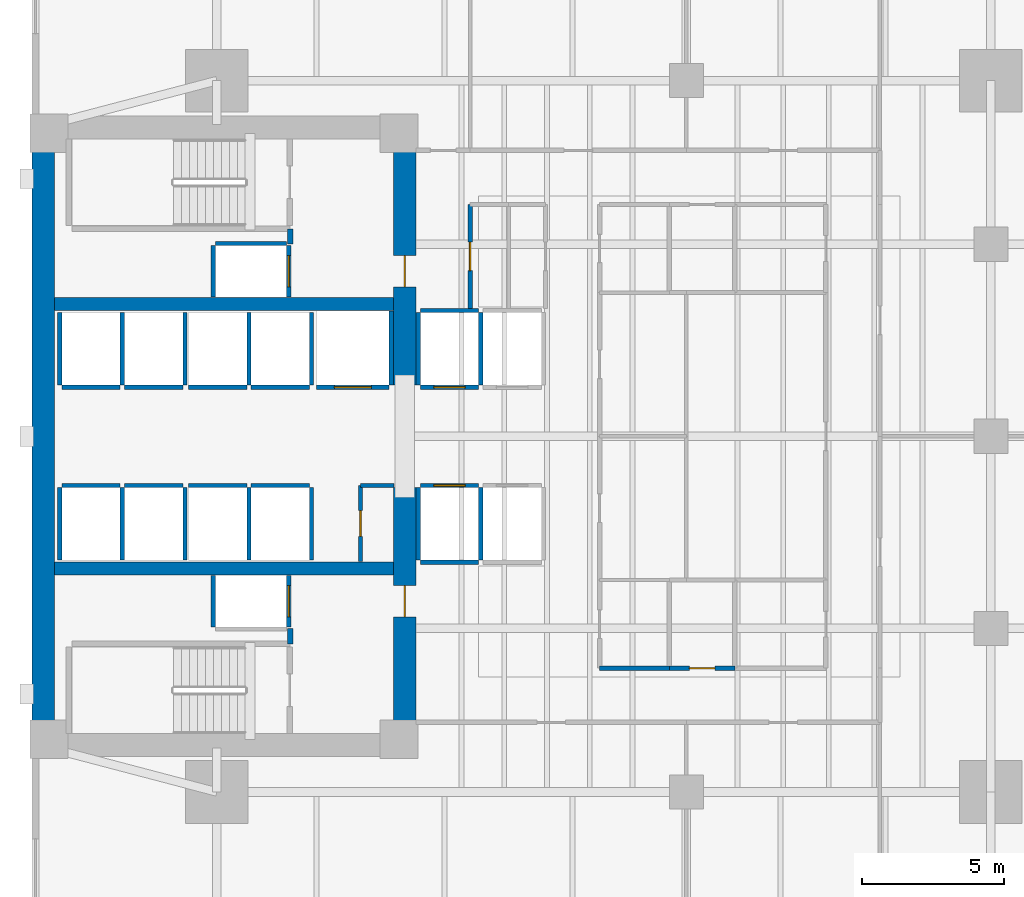
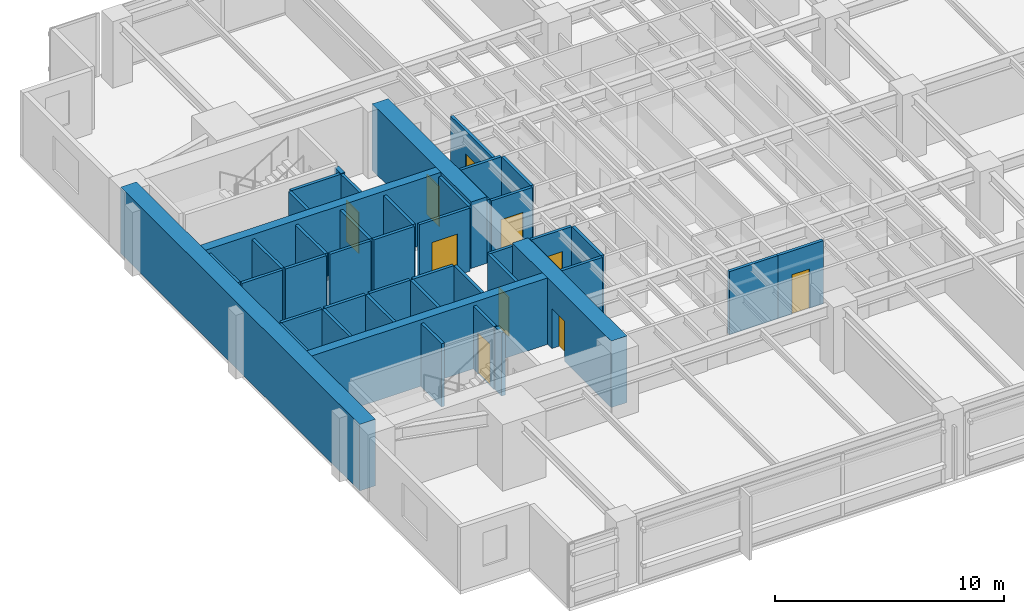
# One storey, part 8 of 15: 45 walls, 10 doors, 10 openings.
"""IFC4 building model written with IfcOpenShell, lengths in metres."""

from ifc_helpers import new_model, si_unit, direction, frame, frame_2d, origin, place, context, subcontext, project, spatial, rectangle, extrude, material, layer, layer_set, type_object, element, fill, save


model = new_model("IFC4")

# Units and contexts
model_context = context("Model", 3, precision=1e-05, world=origin(), true_north=direction((0.0, 1.0)))
body_context = subcontext(model_context, "Body", "Model", "MODEL_VIEW")
ifc_project = project(units=[si_unit("LENGTHUNIT", "METRE"), si_unit("AREAUNIT", "SQUARE_METRE"), si_unit("VOLUMEUNIT", "CUBIC_METRE"), si_unit("PLANEANGLEUNIT", "RADIAN"), si_unit("MASSUNIT", "GRAM", prefix="KILO")], contexts=[model_context])

# Site, building, storey
site_placement = place(None, origin())
site = spatial("IfcSite", under=ifc_project, at=site_placement, CompositionType="ELEMENT")
building_placement = place(site_placement, origin())
building = spatial("IfcBuilding", under=site, at=building_placement, Name="Kinhvarn Gate Tower", CompositionType="ELEMENT")
storey_placement = place(building_placement, frame((0.0, 0.0, 36.25)))
storey = spatial("IfcBuildingStorey", under=building, at=storey_placement, Name="L08", CompositionType="ELEMENT", Elevation=36.25)

# Walls
ifc_material_1 = material(Name="Concrete C50/60", Category="concrete")
ifc_layer_1 = layer(ifc_material_1, 0.449951171875)
ifc_layer_set_1 = layer_set([ifc_layer_1], Name="Concrete C50/60")
wall_type_1 = type_object("IfcWallType", Name="WL-CORE-450", PredefinedType="SHEAR", material=ifc_layer_set_1)
for number, where, z_axis, x_axis, name in (
    (1, (5.300048828125, 20.60009765625, 0.0), (0.0, 0.0, 1.0), (1.0, 0.0, 0.0), "Core South Spine Shear Wall L08 450 mm"),
    (2, (5.300048828125, 29.89990234375, 0.0), (0.0, 0.0, 1.0), (1.0, 0.0, 0.0), "Core North Spine Shear Wall L08 450 mm"),
):
    element("IfcWall", number, at=place(storey_placement, frame(where, z_axis=z_axis, x_axis=x_axis)), inside=storey, type_object=wall_type_1, Name=name, PredefinedType="SHEAR", context=body_context, shape_type="SweptSolid", body=[
        extrude(rectangle(XDim=11.89990234375, YDim=0.449951171875, at=frame_2d((5.949951171875, 0.0))), origin(), (0.0, 0.0, 1.0), 3.550048828125),
    ])

# Wall, opening, door
ifc_material_2 = material(Name="Concrete C70/85", Category="concrete")
ifc_layer_2 = layer(ifc_material_2, 0.800048828125)
ifc_layer_set_2 = layer_set([ifc_layer_2], Name="Concrete C70/85")
wall_type_2 = type_object("IfcWallType", Name="WL-CORE-800", PredefinedType="SHEAR", material=ifc_layer_set_2)
wall_1_placement = place(storey_placement, frame((17.60009765625, 14.800048828125, 0.0), z_axis=(0.0, 0.0, 1.0), x_axis=(0.0, 1.0, 0.0)))
wall_1 = element("IfcWall", 3, at=wall_1_placement, inside=storey, type_object=wall_type_2, Name="Core East-South Shear Pier L08 800 mm", PredefinedType="SHEAR", context=body_context, shape_type="SweptSolid", body=[
    extrude(rectangle(XDim=8.64990234375, YDim=0.800048828125, at=frame_2d((4.324951171875, 0.0))), origin(), (0.0, 0.0, 1.0), 3.550048828125),
])
opening_1_placement = place(wall_1_placement, frame((4.10009765625, 0.0, 0.0)))
opening_1 = element("IfcOpeningElement", 4, at=opening_1_placement, cuts=wall_1, Name="Opening FD-02", PredefinedType="OPENING", context=body_context, shape_type="SweptSolid", body=[
    extrude(rectangle(XDim=1.10009765625, YDim=2.14990234375, at=frame_2d((0.550048828125, 1.074951171875))), frame((0.0, 0.41015625, 0.0), z_axis=(0.0, -1.0, 0.0), x_axis=(1.0, 0.0, 0.0)), (0.0, 0.0, 1.0), 0.820068359375),
])
ifc_material_3 = material(Name="Anodised aluminium AW-6063", Category="aluminium")
door_type_1 = type_object("IfcDoorType", Name="DR-FD-1100", OperationType="NOTDEFINED", PredefinedType="DOOR", material=ifc_material_3)
door_1_placement = place(opening_1_placement, origin())
door_1 = element("IfcDoor", 5, at=door_1_placement, inside=storey, type_object=door_type_1, Name="Firefighting Lobby Core Door (L08)", OperationType="SINGLE_SWING_RIGHT", OverallHeight=2.14990234375, OverallWidth=1.10009765625, PredefinedType="DOOR", context=body_context, shape_type="SweptSolid", body=[
    extrude(rectangle(XDim=1.10009765625, YDim=2.14990234375, at=frame_2d((0.550048828125, 1.074951171875))), frame((0.0, 0.02490234375, 0.0), z_axis=(0.0, -1.0, 0.0), x_axis=(1.0, 0.0, 0.0)), (0.0, 0.0, 1.0), 0.050048828125),
])
fill(opening_1, door_1)

wall_2_placement = place(storey_placement, frame((17.60009765625, 27.050048828125, 0.0), z_axis=(0.0, 0.0, 1.0), x_axis=(0.0, 1.0, 0.0)))
wall_2 = element("IfcWall", 6, at=wall_2_placement, inside=storey, type_object=wall_type_2, Name="Core East-North Shear Pier L08 800 mm", PredefinedType="SHEAR", context=body_context, shape_type="SweptSolid", body=[
    extrude(rectangle(XDim=8.64990234375, YDim=0.800048828125, at=frame_2d((4.324951171875, 0.0))), origin(), (0.0, 0.0, 1.0), 3.550048828125),
])
opening_2_placement = place(wall_2_placement, frame((3.449951171875, 0.0, 0.0)))
opening_2 = element("IfcOpeningElement", 7, at=opening_2_placement, cuts=wall_2, Name="Opening FD-02", PredefinedType="OPENING", context=body_context, shape_type="SweptSolid", body=[
    extrude(rectangle(XDim=1.10009765625, YDim=2.14990234375, at=frame_2d((0.550048828125, 1.074951171875))), frame((0.0, 0.41015625, 0.0), z_axis=(0.0, -1.0, 0.0), x_axis=(1.0, 0.0, 0.0)), (0.0, 0.0, 1.0), 0.820068359375),
])
door_2_placement = place(opening_2_placement, origin())
door_2 = element("IfcDoor", 8, at=door_2_placement, inside=storey, type_object=door_type_1, Name="Firefighting Lobby Core Door (L08)", OperationType="SINGLE_SWING_LEFT", OverallHeight=2.14990234375, OverallWidth=1.10009765625, PredefinedType="DOOR", context=body_context, shape_type="SweptSolid", body=[
    extrude(rectangle(XDim=1.10009765625, YDim=2.14990234375, at=frame_2d((0.550048828125, 1.074951171875))), frame((0.0, 0.02490234375, 0.0), z_axis=(0.0, -1.0, 0.0), x_axis=(1.0, 0.0, 0.0)), (0.0, 0.0, 1.0), 0.050048828125),
])
fill(opening_2, door_2)

# Wall
ifc_layer_3 = layer(ifc_material_2, 0.800048828125)
ifc_layer_set_3 = layer_set([ifc_layer_3], Name="Concrete C70/85")
wall_type_3 = type_object("IfcWallType", Name="WL-COREX-800", PredefinedType="SHEAR", material=ifc_layer_set_3)
wall_3_placement = place(storey_placement, frame((4.89990234375, 14.800048828125, 0.0), z_axis=(0.0, 0.0, 1.0), x_axis=(0.0, 1.0, 0.0)))
element("IfcWall", 9, at=wall_3_placement, inside=storey, type_object=wall_type_3, Name="Core West Shear Wall L08 800 mm", PredefinedType="SHEAR", context=body_context, shape_type="SweptSolid", body=[
    extrude(rectangle(XDim=20.89990234375, YDim=0.800048828125, at=frame_2d((10.449951171875, 0.0))), origin(), (0.0, 0.0, 1.0), 3.550048828125),
])

# Wall, opening, door
ifc_material_4 = material(Name="Gypsum acoustic partition board")
ifc_layer_4 = layer(ifc_material_4, 0.14990234375)
ifc_layer_set_4 = layer_set([ifc_layer_4], Name="Gypsum acoustic partition board")
wall_type_4 = type_object("IfcWallType", Name="WL-PLM-150F", PredefinedType="PLUMBINGWALL", material=ifc_layer_set_4)
wall_4_placement = place(storey_placement, frame((26.89990234375, 17.10009765625, 0.0), z_axis=(0.0, 0.0, 1.0), x_axis=(1.0, 0.0, 0.0)))
wall_4 = element("IfcWall", 10, at=wall_4_placement, inside=storey, type_object=wall_type_4, Name="Interior Partition PLW-150F (L08)", PredefinedType="PLUMBINGWALL", context=body_context, shape_type="SweptSolid", body=[
    extrude(rectangle(XDim=2.300048828125, YDim=0.14990234375, at=frame_2d((1.14990234375, 0.0))), origin(), (0.0, 0.0, 1.0), 3.3701171875),
])
opening_3_placement = place(wall_4_placement, frame((0.699951171875, 0.0, 0.0)))
opening_3 = element("IfcOpeningElement", 11, at=opening_3_placement, cuts=wall_4, Name="Opening FD-04", PredefinedType="OPENING", context=body_context, shape_type="SweptSolid", body=[
    extrude(rectangle(XDim=0.89990234375, YDim=2.10009765625, at=frame_2d((0.449951171875, 1.050048828125))), frame((0.0, 0.0849609375, 0.0), z_axis=(0.0, -1.0, 0.0), x_axis=(1.0, 0.0, 0.0)), (0.0, 0.0, 1.0), 0.169921875),
])
door_type_2 = type_object("IfcDoorType", Name="DR-FD-900", OperationType="NOTDEFINED", PredefinedType="DOOR", material=ifc_material_3)
door_3_placement = place(opening_3_placement, origin())
door_3 = element("IfcDoor", 12, at=door_3_placement, inside=storey, type_object=door_type_2, Name="Rated Riser & Service Closet Fire Door 900x2100 mm (L08)", OperationType="SINGLE_SWING_RIGHT", OverallHeight=2.10009765625, OverallWidth=0.89990234375, PredefinedType="DOOR", context=body_context, shape_type="SweptSolid", body=[
    extrude(rectangle(XDim=0.89990234375, YDim=2.10009765625, at=frame_2d((0.449951171875, 1.050048828125))), frame((0.0, 0.02490234375, 0.0), z_axis=(0.0, -1.0, 0.0), x_axis=(1.0, 0.0, 0.0)), (0.0, 0.0, 1.0), 0.050048828125),
])
fill(opening_3, door_3)

ifc_layer_5 = layer(ifc_material_4, 0.14990234375)
ifc_layer_set_5 = layer_set([ifc_layer_5], Name="Gypsum acoustic partition board")
wall_type_5 = type_object("IfcWallType", Name="WL-PRT-150F", PredefinedType="PARTITIONING", material=ifc_layer_set_5)
wall_5_placement = place(storey_placement, frame((16.050048828125, 20.85009765625, 0.0), z_axis=(0.0, 0.0, 1.0), x_axis=(0.0, 1.0, 0.0)))
wall_5 = element("IfcWall", 13, at=wall_5_placement, inside=storey, type_object=wall_type_5, Name="Interior Partition PW-150F (L08)", PredefinedType="PARTITIONING", context=body_context, shape_type="SweptSolid", body=[
    extrude(rectangle(XDim=2.669921875, YDim=0.14990234375, at=frame_2d((1.3349609375, 0.0))), origin(), (0.0, 0.0, 1.0), 3.3701171875),
])
opening_4_placement = place(wall_5_placement, frame((0.885009765625, 0.0, 0.0)))
opening_4 = element("IfcOpeningElement", 14, at=opening_4_placement, cuts=wall_5, Name="Opening FD-04", PredefinedType="OPENING", context=body_context, shape_type="SweptSolid", body=[
    extrude(rectangle(XDim=0.89990234375, YDim=2.10009765625, at=frame_2d((0.449951171875, 1.050048828125))), frame((0.0, 0.0849609375, 0.0), z_axis=(0.0, -1.0, 0.0), x_axis=(1.0, 0.0, 0.0)), (0.0, 0.0, 1.0), 0.169921875),
])
door_4_placement = place(opening_4_placement, origin())
door_4 = element("IfcDoor", 15, at=door_4_placement, inside=storey, type_object=door_type_2, Name="Rated Riser & Service Closet Fire Door 900x2100 mm (L08)", OperationType="SINGLE_SWING_LEFT", OverallHeight=2.10009765625, OverallWidth=0.89990234375, PredefinedType="DOOR", context=body_context, shape_type="SweptSolid", body=[
    extrude(rectangle(XDim=0.89990234375, YDim=2.10009765625, at=frame_2d((0.449951171875, 1.050048828125))), frame((0.0, 0.02490234375, 0.0), z_axis=(0.0, -1.0, 0.0), x_axis=(1.0, 0.0, 0.0)), (0.0, 0.0, 1.0), 0.050048828125),
])
fill(opening_4, door_4)

# Wall
wall_6_placement = place(storey_placement, frame((16.050048828125, 23.52001953125, 0.0), z_axis=(0.0, 0.0, 1.0), x_axis=(1.0, 0.0, 0.0)))
element("IfcWall", 16, at=wall_6_placement, inside=storey, type_object=wall_type_5, Name="Interior Partition PW-150F (L08)", PredefinedType="PARTITIONING", context=body_context, shape_type="SweptSolid", body=[
    extrude(rectangle(XDim=1.169921875, YDim=0.14990234375, at=frame_2d((0.5849609375, 0.0))), origin(), (0.0, 0.0, 1.0), 3.3701171875),
])

# Wall, opening, door
wall_7_placement = place(storey_placement, frame((19.89990234375, 29.75, 0.0), z_axis=(0.0, 0.0, 1.0), x_axis=(0.0, 1.0, 0.0)))
wall_7 = element("IfcWall", 17, at=wall_7_placement, inside=storey, type_object=wall_type_5, Name="Interior Partition PW-150F (L08)", PredefinedType="PARTITIONING", context=body_context, shape_type="SweptSolid", body=[
    extrude(rectangle(XDim=3.64990234375, YDim=0.14990234375, at=frame_2d((1.824951171875, 0.0))), origin(), (0.0, 0.0, 1.0), 3.3701171875),
])
opening_5_placement = place(wall_7_placement, frame((1.324951171875, 0.0, 0.0)))
opening_5 = element("IfcOpeningElement", 18, at=opening_5_placement, cuts=wall_7, Name="Opening ID-02", PredefinedType="OPENING", context=body_context, shape_type="SweptSolid", body=[
    extrude(rectangle(XDim=1.0, YDim=2.14990234375, at=frame_2d((0.5, 1.074951171875))), frame((0.0, 0.0849609375, 0.0), z_axis=(0.0, -1.0, 0.0), x_axis=(1.0, 0.0, 0.0)), (0.0, 0.0, 1.0), 0.169921875),
])
door_type_3 = type_object("IfcDoorType", Name="DR-INT-1000", OperationType="NOTDEFINED", PredefinedType="DOOR", material=ifc_material_3)
door_5_placement = place(opening_5_placement, origin())
door_5 = element("IfcDoor", 19, at=door_5_placement, inside=storey, type_object=door_type_3, Name="Standard Office & Meeting Room Door 1000x2150 mm (L08)", OperationType="SINGLE_SWING_LEFT", OverallHeight=2.14990234375, OverallWidth=1.0, PredefinedType="DOOR", context=body_context, shape_type="SweptSolid", body=[
    extrude(rectangle(XDim=1.0, YDim=2.14990234375, at=frame_2d((0.5, 1.074951171875))), frame((0.0, 0.02490234375, 0.0), z_axis=(0.0, -1.0, 0.0), x_axis=(1.0, 0.0, 0.0)), (0.0, 0.0, 1.0), 0.050048828125),
])
fill(opening_5, door_5)

# Walls
wall_8_placement = place(storey_placement, frame((24.449951171875, 17.10009765625, 0.0), z_axis=(0.0, 0.0, 1.0), x_axis=(1.0, 0.0, 0.0)))
element("IfcWall", 20, at=wall_8_placement, inside=storey, type_object=wall_type_5, Name="Interior Partition PW-150F (L08)", PredefinedType="PARTITIONING", context=body_context, shape_type="SweptSolid", body=[
    extrude(rectangle(XDim=2.449951171875, YDim=0.14990234375, at=frame_2d((1.22509765625, 0.0))), origin(), (0.0, 0.0, 1.0), 3.3701171875),
])
ifc_layer_6 = layer(ifc_material_4, 0.199951171875)
ifc_layer_set_6 = layer_set([ifc_layer_6], Name="Gypsum acoustic partition board")
wall_type_6 = type_object("IfcWallType", Name="WL-PRT-200", PredefinedType="PARTITIONING", material=ifc_layer_set_6)
for number, where, z_axis, x_axis, name in (
    (21, (13.580078125, 17.9599609375, 0.0), (0.0, 0.0, 1.0), (0.0, 1.0, 0.0), "Interior Partition PW-200 (L08)"),
    (22, (13.580078125, 32.0, 0.0), (0.0, 0.0, 1.0), (0.0, 1.0, 0.0), "Interior Partition PW-200 (L08)"),
):
    element("IfcWall", number, at=place(storey_placement, frame(where, z_axis=z_axis, x_axis=x_axis)), inside=storey, type_object=wall_type_6, Name=name, PredefinedType="PARTITIONING", context=body_context, shape_type="SweptSolid", body=[
        extrude(rectangle(XDim=0.5400390625, YDim=0.199951171875, at=frame_2d((0.27001953125, 0.0))), origin(), (0.0, 0.0, 1.0), 3.3701171875),
    ])
ifc_layer_7 = layer(ifc_material_4, 0.14990234375)
ifc_layer_set_7 = layer_set([ifc_layer_7], Name="Gypsum acoustic partition board")
wall_type_7 = type_object("IfcWallType", Name="WL-SHF-150", PredefinedType="PARTITIONING", material=ifc_layer_set_7)
wall_9_placement = place(storey_placement, frame((18.14990234375, 20.824951171875, 0.0), z_axis=(0.0, 0.0, 1.0), x_axis=(1.0, 0.0, 0.0)))
element("IfcWall", 23, at=wall_9_placement, inside=storey, type_object=wall_type_7, Name="Elevator PL-01 Hoistway Wall S (L08)", PredefinedType="PARTITIONING", context=body_context, shape_type="SweptSolid", body=[
    extrude(rectangle(XDim=2.050048828125, YDim=0.14990234375, at=frame_2d((1.02490234375, 0.0))), origin(), (0.0, 0.0, 1.0), 3.3701171875),
])

# Wall, opening, door
wall_10_placement = place(storey_placement, frame((18.14990234375, 23.52490234375, 0.0), z_axis=(0.0, 0.0, 1.0), x_axis=(1.0, 0.0, 0.0)))
wall_10 = element("IfcWall", 24, at=wall_10_placement, inside=storey, type_object=wall_type_7, Name="Elevator PL-01 Landing Wall (L08)", PredefinedType="PARTITIONING", context=body_context, shape_type="SweptSolid", body=[
    extrude(rectangle(XDim=2.050048828125, YDim=0.14990234375, at=frame_2d((1.02490234375, 0.0))), origin(), (0.0, 0.0, 1.0), 3.3701171875),
])
opening_6_placement = place(wall_10_placement, frame((0.47509765625, 0.0, 0.0)))
opening_6 = element("IfcOpeningElement", 25, at=opening_6_placement, cuts=wall_10, Name="Opening LD-01", PredefinedType="OPENING", context=body_context, shape_type="SweptSolid", body=[
    extrude(rectangle(XDim=1.10009765625, YDim=2.199951171875, at=frame_2d((0.550048828125, 1.10009765625))), frame((0.0, 0.0849609375, 0.0), z_axis=(0.0, -1.0, 0.0), x_axis=(1.0, 0.0, 0.0)), (0.0, 0.0, 1.0), 0.169921875),
])
door_type_4 = type_object("IfcDoorType", Name="DR-LND-PAS", OperationType="NOTDEFINED", PredefinedType="DOOR", material=ifc_material_3)
door_6_placement = place(opening_6_placement, origin())
door_6 = element("IfcDoor", 26, at=door_6_placement, inside=storey, type_object=door_type_4, Name="Elevator PL-01 Sliding Landing Door (L08)", OperationType="DOUBLE_DOOR_SLIDING", OverallHeight=2.199951171875, OverallWidth=1.10009765625, PredefinedType="DOOR", context=body_context, shape_type="SweptSolid", body=[
    extrude(rectangle(XDim=1.10009765625, YDim=2.199951171875, at=frame_2d((0.550048828125, 1.10009765625))), frame((0.0, 0.02490234375, 0.0), z_axis=(0.0, -1.0, 0.0), x_axis=(1.0, 0.0, 0.0)), (0.0, 0.0, 1.0), 0.050048828125),
])
fill(opening_6, door_6)

# Walls
for number, where, z_axis, x_axis, name in (
    (27, (18.074951171875, 20.89990234375, 0.0), (0.0, 0.0, 1.0), (0.0, 1.0, 0.0), "Elevator PL-01 Hoistway Wall W (L08)"),
    (28, (20.27490234375, 20.89990234375, 0.0), (0.0, 0.0, 1.0), (0.0, 1.0, 0.0), "Elevator PL-01 Hoistway Wall E (L08)"),
):
    element("IfcWall", number, at=place(storey_placement, frame(where, z_axis=z_axis, x_axis=x_axis)), inside=storey, type_object=wall_type_7, Name=name, PredefinedType="PARTITIONING", context=body_context, shape_type="SweptSolid", body=[
        extrude(rectangle(XDim=2.550048828125, YDim=0.14990234375, at=frame_2d((1.27490234375, 0.0))), origin(), (0.0, 0.0, 1.0), 3.3701171875),
    ])

# Wall, opening, door
wall_11_placement = place(storey_placement, frame((18.14990234375, 26.97509765625, 0.0), z_axis=(0.0, 0.0, 1.0), x_axis=(1.0, 0.0, 0.0)))
wall_11 = element("IfcWall", 29, at=wall_11_placement, inside=storey, type_object=wall_type_7, Name="Elevator PL-03 Landing Wall (L08)", PredefinedType="PARTITIONING", context=body_context, shape_type="SweptSolid", body=[
    extrude(rectangle(XDim=2.050048828125, YDim=0.14990234375, at=frame_2d((1.02490234375, 0.0))), origin(), (0.0, 0.0, 1.0), 3.3701171875),
])
opening_7_placement = place(wall_11_placement, frame((0.47509765625, 0.0, 0.0)))
opening_7 = element("IfcOpeningElement", 30, at=opening_7_placement, cuts=wall_11, Name="Opening LD-01", PredefinedType="OPENING", context=body_context, shape_type="SweptSolid", body=[
    extrude(rectangle(XDim=1.10009765625, YDim=2.199951171875, at=frame_2d((0.550048828125, 1.10009765625))), frame((0.0, 0.0849609375, 0.0), z_axis=(0.0, -1.0, 0.0), x_axis=(1.0, 0.0, 0.0)), (0.0, 0.0, 1.0), 0.169921875),
])
door_7_placement = place(opening_7_placement, origin())
door_7 = element("IfcDoor", 31, at=door_7_placement, inside=storey, type_object=door_type_4, Name="Elevator PL-03 Sliding Landing Door (L08)", OperationType="DOUBLE_DOOR_SLIDING", OverallHeight=2.199951171875, OverallWidth=1.10009765625, PredefinedType="DOOR", context=body_context, shape_type="SweptSolid", body=[
    extrude(rectangle(XDim=1.10009765625, YDim=2.199951171875, at=frame_2d((0.550048828125, 1.10009765625))), frame((0.0, 0.02490234375, 0.0), z_axis=(0.0, -1.0, 0.0), x_axis=(1.0, 0.0, 0.0)), (0.0, 0.0, 1.0), 0.050048828125),
])
fill(opening_7, door_7)

# Walls
wall_12_placement = place(storey_placement, frame((18.14990234375, 29.675048828125, 0.0), z_axis=(0.0, 0.0, 1.0), x_axis=(1.0, 0.0, 0.0)))
element("IfcWall", 32, at=wall_12_placement, inside=storey, type_object=wall_type_7, Name="Elevator PL-03 Hoistway Wall N (L08)", PredefinedType="PARTITIONING", context=body_context, shape_type="SweptSolid", body=[
    extrude(rectangle(XDim=2.050048828125, YDim=0.14990234375, at=frame_2d((1.02490234375, 0.0))), origin(), (0.0, 0.0, 1.0), 3.3701171875),
])
for number, where, z_axis, x_axis, name in (
    (33, (18.074951171875, 27.050048828125, 0.0), (0.0, 0.0, 1.0), (0.0, 1.0, 0.0), "Elevator PL-03 Hoistway Wall W (L08)"),
    (34, (20.27490234375, 27.050048828125, 0.0), (0.0, 0.0, 1.0), (0.0, 1.0, 0.0), "Elevator PL-03 Hoistway Wall E (L08)"),
):
    element("IfcWall", number, at=place(storey_placement, frame(where, z_axis=z_axis, x_axis=x_axis)), inside=storey, type_object=wall_type_7, Name=name, PredefinedType="PARTITIONING", context=body_context, shape_type="SweptSolid", body=[
        extrude(rectangle(XDim=2.550048828125, YDim=0.14990234375, at=frame_2d((1.27490234375, 0.0))), origin(), (0.0, 0.0, 1.0), 3.3701171875),
    ])
wall_13_placement = place(storey_placement, frame((5.550048828125, 23.52490234375, 0.0), z_axis=(0.0, 0.0, 1.0), x_axis=(1.0, 0.0, 0.0)))
element("IfcWall", 35, at=wall_13_placement, inside=storey, type_object=wall_type_7, Name="Elevator PM-05 Landing Wall (L08)", PredefinedType="PARTITIONING", context=body_context, shape_type="SweptSolid", body=[
    extrude(rectangle(XDim=2.050048828125, YDim=0.14990234375, at=frame_2d((1.02490234375, 0.0))), origin(), (0.0, 0.0, 1.0), 3.3701171875),
])
for number, where, z_axis, x_axis, name in (
    (36, (5.47509765625, 20.89990234375, 0.0), (0.0, 0.0, 1.0), (0.0, 1.0, 0.0), "Elevator PM-05 Hoistway Wall W (L08)"),
    (37, (7.675048828125, 20.89990234375, 0.0), (0.0, 0.0, 1.0), (0.0, 1.0, 0.0), "Elevator PM-05 Hoistway Wall E (L08)"),
):
    element("IfcWall", number, at=place(storey_placement, frame(where, z_axis=z_axis, x_axis=x_axis)), inside=storey, type_object=wall_type_7, Name=name, PredefinedType="PARTITIONING", context=body_context, shape_type="SweptSolid", body=[
        extrude(rectangle(XDim=2.550048828125, YDim=0.14990234375, at=frame_2d((1.27490234375, 0.0))), origin(), (0.0, 0.0, 1.0), 3.3701171875),
    ])
wall_14_placement = place(storey_placement, frame((7.75, 23.52490234375, 0.0), z_axis=(0.0, 0.0, 1.0), x_axis=(1.0, 0.0, 0.0)))
element("IfcWall", 38, at=wall_14_placement, inside=storey, type_object=wall_type_7, Name="Elevator PM-06 Landing Wall (L08)", PredefinedType="PARTITIONING", context=body_context, shape_type="SweptSolid", body=[
    extrude(rectangle(XDim=2.050048828125, YDim=0.14990234375, at=frame_2d((1.02490234375, 0.0))), origin(), (0.0, 0.0, 1.0), 3.3701171875),
])
wall_15_placement = place(storey_placement, frame((9.875, 20.89990234375, 0.0), z_axis=(0.0, 0.0, 1.0), x_axis=(0.0, 1.0, 0.0)))
element("IfcWall", 39, at=wall_15_placement, inside=storey, type_object=wall_type_7, Name="Elevator PM-06 Hoistway Wall E (L08)", PredefinedType="PARTITIONING", context=body_context, shape_type="SweptSolid", body=[
    extrude(rectangle(XDim=2.550048828125, YDim=0.14990234375, at=frame_2d((1.27490234375, 0.0))), origin(), (0.0, 0.0, 1.0), 3.3701171875),
])
wall_16_placement = place(storey_placement, frame((5.550048828125, 26.97509765625, 0.0), z_axis=(0.0, 0.0, 1.0), x_axis=(1.0, 0.0, 0.0)))
element("IfcWall", 40, at=wall_16_placement, inside=storey, type_object=wall_type_7, Name="Elevator PM-07 Landing Wall (L08)", PredefinedType="PARTITIONING", context=body_context, shape_type="SweptSolid", body=[
    extrude(rectangle(XDim=2.050048828125, YDim=0.14990234375, at=frame_2d((1.02490234375, 0.0))), origin(), (0.0, 0.0, 1.0), 3.3701171875),
])
for number, where, z_axis, x_axis, name in (
    (41, (5.47509765625, 27.050048828125, 0.0), (0.0, 0.0, 1.0), (0.0, 1.0, 0.0), "Elevator PM-07 Hoistway Wall W (L08)"),
    (42, (7.675048828125, 27.050048828125, 0.0), (0.0, 0.0, 1.0), (0.0, 1.0, 0.0), "Elevator PM-07 Hoistway Wall E (L08)"),
):
    element("IfcWall", number, at=place(storey_placement, frame(where, z_axis=z_axis, x_axis=x_axis)), inside=storey, type_object=wall_type_7, Name=name, PredefinedType="PARTITIONING", context=body_context, shape_type="SweptSolid", body=[
        extrude(rectangle(XDim=2.550048828125, YDim=0.14990234375, at=frame_2d((1.27490234375, 0.0))), origin(), (0.0, 0.0, 1.0), 3.3701171875),
    ])
wall_17_placement = place(storey_placement, frame((7.75, 26.97509765625, 0.0), z_axis=(0.0, 0.0, 1.0), x_axis=(1.0, 0.0, 0.0)))
element("IfcWall", 43, at=wall_17_placement, inside=storey, type_object=wall_type_7, Name="Elevator PM-08 Landing Wall (L08)", PredefinedType="PARTITIONING", context=body_context, shape_type="SweptSolid", body=[
    extrude(rectangle(XDim=2.050048828125, YDim=0.14990234375, at=frame_2d((1.02490234375, 0.0))), origin(), (0.0, 0.0, 1.0), 3.3701171875),
])
wall_18_placement = place(storey_placement, frame((9.875, 27.050048828125, 0.0), z_axis=(0.0, 0.0, 1.0), x_axis=(0.0, 1.0, 0.0)))
element("IfcWall", 44, at=wall_18_placement, inside=storey, type_object=wall_type_7, Name="Elevator PM-08 Hoistway Wall E (L08)", PredefinedType="PARTITIONING", context=body_context, shape_type="SweptSolid", body=[
    extrude(rectangle(XDim=2.550048828125, YDim=0.14990234375, at=frame_2d((1.27490234375, 0.0))), origin(), (0.0, 0.0, 1.0), 3.3701171875),
])
wall_19_placement = place(storey_placement, frame((10.0, 23.52490234375, 0.0), z_axis=(0.0, 0.0, 1.0), x_axis=(1.0, 0.0, 0.0)))
element("IfcWall", 45, at=wall_19_placement, inside=storey, type_object=wall_type_7, Name="Elevator PH-09 Landing Wall (L08)", PredefinedType="PARTITIONING", context=body_context, shape_type="SweptSolid", body=[
    extrude(rectangle(XDim=2.050048828125, YDim=0.14990234375, at=frame_2d((1.02490234375, 0.0))), origin(), (0.0, 0.0, 1.0), 3.3701171875),
])
wall_20_placement = place(storey_placement, frame((12.125, 20.89990234375, 0.0), z_axis=(0.0, 0.0, 1.0), x_axis=(0.0, 1.0, 0.0)))
element("IfcWall", 46, at=wall_20_placement, inside=storey, type_object=wall_type_7, Name="Elevator PH-09 Hoistway Wall E (L08)", PredefinedType="PARTITIONING", context=body_context, shape_type="SweptSolid", body=[
    extrude(rectangle(XDim=2.550048828125, YDim=0.14990234375, at=frame_2d((1.27490234375, 0.0))), origin(), (0.0, 0.0, 1.0), 3.3701171875),
])
wall_21_placement = place(storey_placement, frame((12.199951171875, 23.52490234375, 0.0), z_axis=(0.0, 0.0, 1.0), x_axis=(1.0, 0.0, 0.0)))
element("IfcWall", 47, at=wall_21_placement, inside=storey, type_object=wall_type_7, Name="Elevator PH-10 Landing Wall (L08)", PredefinedType="PARTITIONING", context=body_context, shape_type="SweptSolid", body=[
    extrude(rectangle(XDim=2.050048828125, YDim=0.14990234375, at=frame_2d((1.02490234375, 0.0))), origin(), (0.0, 0.0, 1.0), 3.3701171875),
])
wall_22_placement = place(storey_placement, frame((14.324951171875, 20.89990234375, 0.0), z_axis=(0.0, 0.0, 1.0), x_axis=(0.0, 1.0, 0.0)))
element("IfcWall", 48, at=wall_22_placement, inside=storey, type_object=wall_type_7, Name="Elevator PH-10 Hoistway Wall E (L08)", PredefinedType="PARTITIONING", context=body_context, shape_type="SweptSolid", body=[
    extrude(rectangle(XDim=2.550048828125, YDim=0.14990234375, at=frame_2d((1.27490234375, 0.0))), origin(), (0.0, 0.0, 1.0), 3.3701171875),
])
wall_23_placement = place(storey_placement, frame((10.0, 26.97509765625, 0.0), z_axis=(0.0, 0.0, 1.0), x_axis=(1.0, 0.0, 0.0)))
element("IfcWall", 49, at=wall_23_placement, inside=storey, type_object=wall_type_7, Name="Elevator PH-11 Landing Wall (L08)", PredefinedType="PARTITIONING", context=body_context, shape_type="SweptSolid", body=[
    extrude(rectangle(XDim=2.050048828125, YDim=0.14990234375, at=frame_2d((1.02490234375, 0.0))), origin(), (0.0, 0.0, 1.0), 3.3701171875),
])
wall_24_placement = place(storey_placement, frame((12.125, 27.050048828125, 0.0), z_axis=(0.0, 0.0, 1.0), x_axis=(0.0, 1.0, 0.0)))
element("IfcWall", 50, at=wall_24_placement, inside=storey, type_object=wall_type_7, Name="Elevator PH-11 Hoistway Wall E (L08)", PredefinedType="PARTITIONING", context=body_context, shape_type="SweptSolid", body=[
    extrude(rectangle(XDim=2.550048828125, YDim=0.14990234375, at=frame_2d((1.27490234375, 0.0))), origin(), (0.0, 0.0, 1.0), 3.3701171875),
])
wall_25_placement = place(storey_placement, frame((12.199951171875, 26.97509765625, 0.0), z_axis=(0.0, 0.0, 1.0), x_axis=(1.0, 0.0, 0.0)))
element("IfcWall", 51, at=wall_25_placement, inside=storey, type_object=wall_type_7, Name="Elevator PH-12 Landing Wall (L08)", PredefinedType="PARTITIONING", context=body_context, shape_type="SweptSolid", body=[
    extrude(rectangle(XDim=2.050048828125, YDim=0.14990234375, at=frame_2d((1.02490234375, 0.0))), origin(), (0.0, 0.0, 1.0), 3.3701171875),
])
wall_26_placement = place(storey_placement, frame((14.324951171875, 27.050048828125, 0.0), z_axis=(0.0, 0.0, 1.0), x_axis=(0.0, 1.0, 0.0)))
element("IfcWall", 52, at=wall_26_placement, inside=storey, type_object=wall_type_7, Name="Elevator PH-12 Hoistway Wall E (L08)", PredefinedType="PARTITIONING", context=body_context, shape_type="SweptSolid", body=[
    extrude(rectangle(XDim=2.550048828125, YDim=0.14990234375, at=frame_2d((1.27490234375, 0.0))), origin(), (0.0, 0.0, 1.0), 3.3701171875),
])

# Wall, opening, door
wall_27_placement = place(storey_placement, frame((14.5, 26.97509765625, 0.0), z_axis=(0.0, 0.0, 1.0), x_axis=(1.0, 0.0, 0.0)))
wall_27 = element("IfcWall", 53, at=wall_27_placement, inside=storey, type_object=wall_type_7, Name="Elevator SV-01 Landing Wall (L08)", PredefinedType="PARTITIONING", context=body_context, shape_type="SweptSolid", body=[
    extrude(rectangle(XDim=2.550048828125, YDim=0.14990234375, at=frame_2d((1.27490234375, 0.0))), origin(), (0.0, 0.0, 1.0), 3.3701171875),
])
opening_8_placement = place(wall_27_placement, frame((0.625, 0.0, 0.0)))
opening_8 = element("IfcOpeningElement", 54, at=opening_8_placement, cuts=wall_27, Name="Opening LD-02", PredefinedType="OPENING", context=body_context, shape_type="SweptSolid", body=[
    extrude(rectangle(XDim=1.300048828125, YDim=2.199951171875, at=frame_2d((0.64990234375, 1.10009765625))), frame((0.0, 0.0849609375, 0.0), z_axis=(0.0, -1.0, 0.0), x_axis=(1.0, 0.0, 0.0)), (0.0, 0.0, 1.0), 0.169921875),
])
door_type_5 = type_object("IfcDoorType", Name="DR-LND-SRV", OperationType="NOTDEFINED", PredefinedType="DOOR", material=ifc_material_3)
door_8_placement = place(opening_8_placement, origin())
door_8 = element("IfcDoor", 55, at=door_8_placement, inside=storey, type_object=door_type_5, Name="Elevator SV-01 Sliding Landing Door (L08)", OperationType="DOUBLE_DOOR_SLIDING", OverallHeight=2.199951171875, OverallWidth=1.300048828125, PredefinedType="DOOR", context=body_context, shape_type="SweptSolid", body=[
    extrude(rectangle(XDim=1.300048828125, YDim=2.199951171875, at=frame_2d((0.64990234375, 1.10009765625))), frame((0.0, 0.02490234375, 0.0), z_axis=(0.0, -1.0, 0.0), x_axis=(1.0, 0.0, 0.0)), (0.0, 0.0, 1.0), 0.050048828125),
])
fill(opening_8, door_8)

# Walls
wall_28_placement = place(storey_placement, frame((17.125, 27.050048828125, 0.0), z_axis=(0.0, 0.0, 1.0), x_axis=(0.0, 1.0, 0.0)))
element("IfcWall", 56, at=wall_28_placement, inside=storey, type_object=wall_type_7, Name="Elevator SV-01 Hoistway Wall E (L08)", PredefinedType="PARTITIONING", context=body_context, shape_type="SweptSolid", body=[
    extrude(rectangle(XDim=2.599853515625, YDim=0.14990234375, at=frame_2d((1.2998046875, 0.0))), origin(), (0.0, 0.0, 1.0), 3.3701171875),
])
wall_29_placement = place(storey_placement, frame((10.875, 18.550048828125, 0.0), z_axis=(0.0, 0.0, 1.0), x_axis=(0.0, 1.0, 0.0)))
element("IfcWall", 57, at=wall_29_placement, inside=storey, type_object=wall_type_7, Name="Elevator FF1 Hoistway Wall W (L08)", PredefinedType="PARTITIONING", context=body_context, shape_type="SweptSolid", body=[
    extrude(rectangle(XDim=1.800048828125, YDim=0.14990234375, at=frame_2d((0.89990234375, 0.0))), origin(), (0.0, 0.0, 1.0), 3.3701171875),
])

# Wall, opening, door
wall_30_placement = place(storey_placement, frame((13.52490234375, 18.550048828125, 0.0), z_axis=(0.0, 0.0, 1.0), x_axis=(0.0, 1.0, 0.0)))
wall_30 = element("IfcWall", 58, at=wall_30_placement, inside=storey, type_object=wall_type_7, Name="Elevator FF1 Landing Wall (L08)", PredefinedType="PARTITIONING", context=body_context, shape_type="SweptSolid", body=[
    extrude(rectangle(XDim=1.800048828125, YDim=0.14990234375, at=frame_2d((0.89990234375, 0.0))), origin(), (0.0, 0.0, 1.0), 3.3701171875),
])
opening_9_placement = place(wall_30_placement, frame((0.35009765625, 0.0, 0.0)))
opening_9 = element("IfcOpeningElement", 59, at=opening_9_placement, cuts=wall_30, Name="Opening LD-03", PredefinedType="OPENING", context=body_context, shape_type="SweptSolid", body=[
    extrude(rectangle(XDim=1.10009765625, YDim=2.199951171875, at=frame_2d((0.550048828125, 1.10009765625))), frame((0.0, 0.0849609375, 0.0), z_axis=(0.0, -1.0, 0.0), x_axis=(1.0, 0.0, 0.0)), (0.0, 0.0, 1.0), 0.169921875),
])
door_type_6 = type_object("IfcDoorType", Name="DR-LND-FF", OperationType="NOTDEFINED", PredefinedType="DOOR", material=ifc_material_3)
door_9_placement = place(opening_9_placement, origin())
door_9 = element("IfcDoor", 60, at=door_9_placement, inside=storey, type_object=door_type_6, Name="Elevator FF1 Sliding Landing Door (L08)", OperationType="DOUBLE_DOOR_SLIDING", OverallHeight=2.199951171875, OverallWidth=1.10009765625, PredefinedType="DOOR", context=body_context, shape_type="SweptSolid", body=[
    extrude(rectangle(XDim=1.10009765625, YDim=2.199951171875, at=frame_2d((0.550048828125, 1.10009765625))), frame((0.0, 0.02490234375, 0.0), z_axis=(0.0, -1.0, 0.0), x_axis=(1.0, 0.0, 0.0)), (0.0, 0.0, 1.0), 0.050048828125),
])
fill(opening_9, door_9)

# Walls
wall_31_placement = place(storey_placement, frame((10.949951171875, 32.02490234375, 0.0), z_axis=(0.0, 0.0, 1.0), x_axis=(1.0, 0.0, 0.0)))
element("IfcWall", 61, at=wall_31_placement, inside=storey, type_object=wall_type_7, Name="Elevator FF2 Hoistway Wall N (L08)", PredefinedType="PARTITIONING", context=body_context, shape_type="SweptSolid", body=[
    extrude(rectangle(XDim=2.5, YDim=0.14990234375, at=frame_2d((1.25, 0.0))), origin(), (0.0, 0.0, 1.0), 3.3701171875),
])
wall_32_placement = place(storey_placement, frame((10.875, 30.14990234375, 0.0), z_axis=(0.0, 0.0, 1.0), x_axis=(0.0, 1.0, 0.0)))
element("IfcWall", 62, at=wall_32_placement, inside=storey, type_object=wall_type_7, Name="Elevator FF2 Hoistway Wall W (L08)", PredefinedType="PARTITIONING", context=body_context, shape_type="SweptSolid", body=[
    extrude(rectangle(XDim=1.800048828125, YDim=0.14990234375, at=frame_2d((0.89990234375, 0.0))), origin(), (0.0, 0.0, 1.0), 3.3701171875),
])

# Wall, opening, door
wall_33_placement = place(storey_placement, frame((13.52490234375, 30.14990234375, 0.0), z_axis=(0.0, 0.0, 1.0), x_axis=(0.0, 1.0, 0.0)))
wall_33 = element("IfcWall", 63, at=wall_33_placement, inside=storey, type_object=wall_type_7, Name="Elevator FF2 Landing Wall (L08)", PredefinedType="PARTITIONING", context=body_context, shape_type="SweptSolid", body=[
    extrude(rectangle(XDim=1.800048828125, YDim=0.14990234375, at=frame_2d((0.89990234375, 0.0))), origin(), (0.0, 0.0, 1.0), 3.3701171875),
])
opening_10_placement = place(wall_33_placement, frame((0.35009765625, 0.0, 0.0)))
opening_10 = element("IfcOpeningElement", 64, at=opening_10_placement, cuts=wall_33, Name="Opening LD-03", PredefinedType="OPENING", context=body_context, shape_type="SweptSolid", body=[
    extrude(rectangle(XDim=1.10009765625, YDim=2.199951171875, at=frame_2d((0.550048828125, 1.10009765625))), frame((0.0, 0.0849609375, 0.0), z_axis=(0.0, -1.0, 0.0), x_axis=(1.0, 0.0, 0.0)), (0.0, 0.0, 1.0), 0.169921875),
])
door_10_placement = place(opening_10_placement, origin())
door_10 = element("IfcDoor", 65, at=door_10_placement, inside=storey, type_object=door_type_6, Name="Elevator FF2 Sliding Landing Door (L08)", OperationType="DOUBLE_DOOR_SLIDING", OverallHeight=2.199951171875, OverallWidth=1.10009765625, PredefinedType="DOOR", context=body_context, shape_type="SweptSolid", body=[
    extrude(rectangle(XDim=1.10009765625, YDim=2.199951171875, at=frame_2d((0.550048828125, 1.10009765625))), frame((0.0, 0.02490234375, 0.0), z_axis=(0.0, -1.0, 0.0), x_axis=(1.0, 0.0, 0.0)), (0.0, 0.0, 1.0), 0.050048828125),
])
fill(opening_10, door_10)

save(model, "model.ifc")
